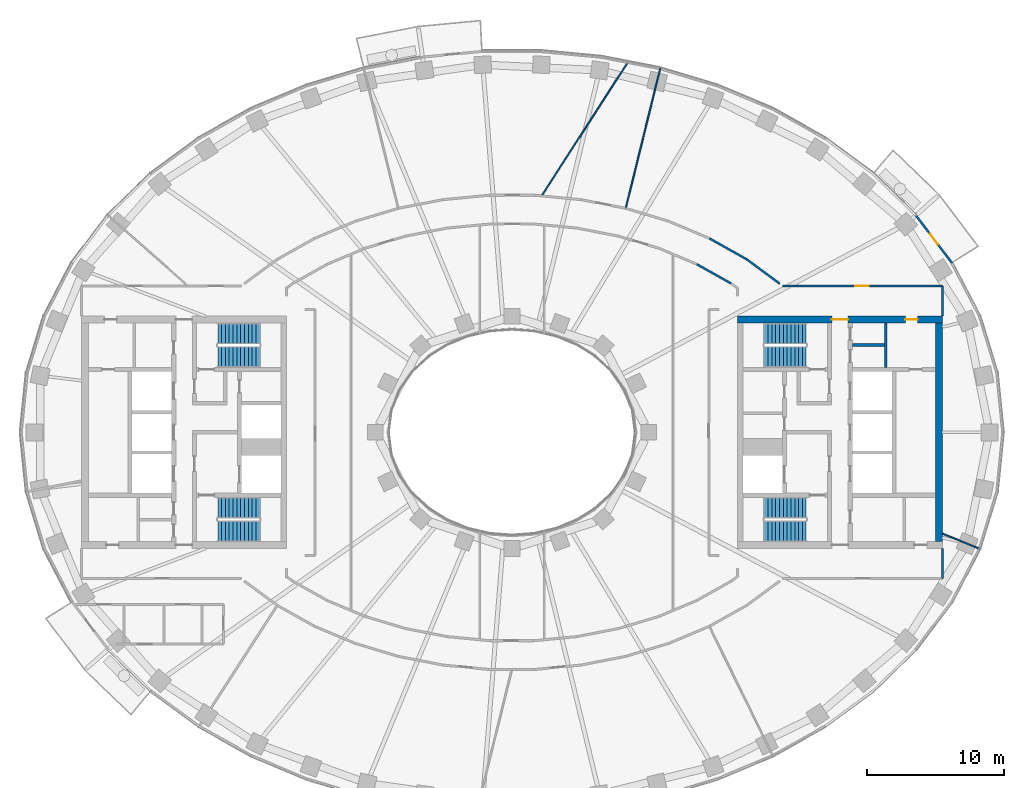
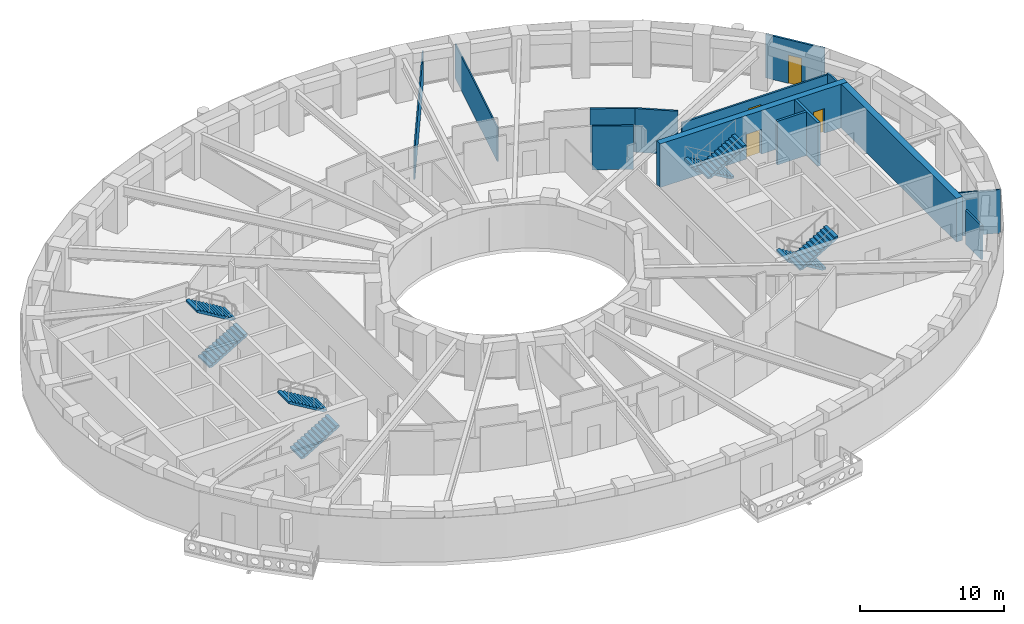
# One storey, part 7 of 16: 14 walls, 8 stair flights, 4 doors, 4 openings, 4 elements without a shape of their own.
"""IFC4 building model written with IfcOpenShell, lengths in metres."""

from ifc_helpers import new_model, si_unit, direction, frame, frame_2d, origin, place, context, subcontext, project, spatial, polyline, rectangle, outline, extrude, material, layer, layer_set, type_object, element, fill, aggregate, save


model = new_model("IFC4")

# Units and contexts
model_context = context("Model", 3, precision=1e-05, world=origin(), true_north=direction((0.0, 1.0)))
body_context = subcontext(model_context, "Body", "Model", "MODEL_VIEW")
ifc_project = project(units=[si_unit("LENGTHUNIT", "METRE"), si_unit("AREAUNIT", "SQUARE_METRE"), si_unit("VOLUMEUNIT", "CUBIC_METRE"), si_unit("PLANEANGLEUNIT", "RADIAN"), si_unit("MASSUNIT", "GRAM", prefix="KILO")], contexts=[model_context])

# Site, building, storey
site_placement = place(None, origin())
site = spatial("IfcSite", under=ifc_project, at=site_placement, CompositionType="ELEMENT")
building_placement = place(site_placement, origin())
building = spatial("IfcBuilding", under=site, at=building_placement, Name="Noorbagh Ring Tower", CompositionType="ELEMENT")
storey_placement = place(building_placement, frame((0.0, 0.0, 132.0)))
storey = spatial("IfcBuildingStorey", under=building, at=storey_placement, Name="L30", CompositionType="ELEMENT", Elevation=132.0)

# Walls
ifc_material_1 = material(Name="Gypsum board on steel studs", Category="steel")
ifc_layer_1 = layer(ifc_material_1, 0.199951171875)
ifc_layer_set_1 = layer_set([ifc_layer_1], Name="Gypsum board on steel studs")
wall_type_1 = type_object("IfcWallType", Name="CORE-PARTITION-200", PredefinedType="PARTITIONING", material=ifc_layer_set_1)
wall_1_placement = place(storey_placement, frame((27.35009765625, 4.75, 0.0), z_axis=(0.0, 0.0, 1.0), x_axis=(0.0, 1.0, 0.0)))
element("IfcWall", 1, at=wall_1_placement, inside=storey, type_object=wall_type_1, Name="Core partition E", PredefinedType="PARTITIONING", context=body_context, shape_type="SweptSolid", body=[
    extrude(rectangle(XDim=3.25, YDim=0.199951171875, at=frame_2d((1.625, 0.0))), origin(), (0.0, 0.0, 1.0), 3.699951171875),
])
wall_2_placement = place(storey_placement, frame((24.89990234375, 6.39990234375, 0.0), z_axis=(0.0, 0.0, 1.0), x_axis=(1.0, 0.0, 0.0)))
element("IfcWall", 2, at=wall_2_placement, inside=storey, type_object=wall_type_1, Name="Core partition E", PredefinedType="PARTITIONING", context=body_context, shape_type="SweptSolid", body=[
    extrude(rectangle(XDim=2.35009765625, YDim=0.199951171875, at=frame_2d((1.175048828125, 0.0))), origin(), (0.0, 0.0, 1.0), 3.699951171875),
])

# Wall, openings, doors
ifc_material_2 = material(Name="Concrete C70/85", Category="concrete")
ifc_layer_2 = layer(ifc_material_2, 0.5)
ifc_layer_set_2 = layer_set([ifc_layer_2], Name="Concrete C70/85")
wall_type_2 = type_object("IfcWallType", Name="CORE-WALL-500-C70-85-EI240", PredefinedType="SHEAR", material=ifc_layer_set_2)
wall_3_placement = place(storey_placement, frame((16.5, 8.25, 0.0), z_axis=(0.0, 0.0, 1.0), x_axis=(1.0, 0.0, 0.0)))
wall_3 = element("IfcWall", 3, at=wall_3_placement, inside=storey, type_object=wall_type_2, Name="Core wall E", PredefinedType="SHEAR", context=body_context, shape_type="SweptSolid", body=[
    extrude(rectangle(XDim=15.0, YDim=0.5, at=frame_2d((7.5, 0.0))), origin(), (0.0, 0.0, 1.0), 3.699951171875),
])
opening_1_placement = place(wall_3_placement, frame((6.89990234375, 0.0, 0.0)))
opening_1 = element("IfcOpeningElement", 4, at=opening_1_placement, cuts=wall_3, Name="Opening L30-CE09", PredefinedType="OPENING", context=body_context, shape_type="SweptSolid", body=[
    extrude(rectangle(XDim=1.199951171875, YDim=2.10009765625, at=frame_2d((0.60009765625, 1.050048828125))), frame((0.0, 0.260009765625, 0.0), z_axis=(0.0, -1.0, 0.0), x_axis=(1.0, 0.0, 0.0)), (0.0, 0.0, 1.0), 0.52001953125),
])
opening_2_placement = place(wall_3_placement, frame((12.27490234375, 0.0, 0.0)))
opening_2 = element("IfcOpeningElement", 5, at=opening_2_placement, cuts=wall_3, Name="Opening L30-CE15", PredefinedType="OPENING", context=body_context, shape_type="SweptSolid", body=[
    extrude(rectangle(XDim=0.89990234375, YDim=2.10009765625, at=frame_2d((0.449951171875, 1.050048828125))), frame((0.0, 0.260009765625, 0.0), z_axis=(0.0, -1.0, 0.0), x_axis=(1.0, 0.0, 0.0)), (0.0, 0.0, 1.0), 0.52001953125),
])
ifc_material_3 = material(Name="Steel door leaf", Category="steel")
door_type_1 = type_object("IfcDoorType", Name="CORE-DOOR-DROOM", OperationType="SINGLE_SWING_LEFT", PredefinedType="DOOR", material=ifc_material_3)
door_1_placement = place(opening_2_placement, origin())
door_1 = element("IfcDoor", 6, at=door_1_placement, inside=storey, type_object=door_type_1, Name="Core room door L30-CE15", OperationType="SINGLE_SWING_LEFT", OverallHeight=2.10009765625, OverallWidth=0.89990234375, PredefinedType="DOOR", context=body_context, shape_type="SweptSolid", body=[
    extrude(rectangle(XDim=0.89990234375, YDim=2.10009765625, at=frame_2d((0.449951171875, 1.050048828125))), frame((0.0, 0.02490234375, 0.0), z_axis=(0.0, -1.0, 0.0), x_axis=(1.0, 0.0, 0.0)), (0.0, 0.0, 1.0), 0.050048828125),
])
fill(opening_2, door_1)
ifc_material_4 = material(Name="Steel door leaf", Category="steel")
door_type_2 = type_object("IfcDoorType", Name="CORE-DOOR-PORT", OperationType="DOUBLE_DOOR_DOUBLE_SWING", PredefinedType="DOOR", material=ifc_material_4)
door_2_placement = place(opening_1_placement, origin())
door_2 = element("IfcDoor", 7, at=door_2_placement, inside=storey, type_object=door_type_2, Name="Core entrance door L30-CE09", OperationType="DOUBLE_DOOR_DOUBLE_SWING", OverallHeight=2.10009765625, OverallWidth=1.199951171875, PredefinedType="DOOR", context=body_context, shape_type="SweptSolid", body=[
    extrude(rectangle(XDim=1.199951171875, YDim=2.10009765625, at=frame_2d((0.60009765625, 1.050048828125))), frame((0.0, 0.02490234375, 0.0), z_axis=(0.0, -1.0, 0.0), x_axis=(1.0, 0.0, 0.0)), (0.0, 0.0, 1.0), 0.050048828125),
])
fill(opening_1, door_2)

# Walls
wall_4_placement = place(storey_placement, frame((31.25, -8.0, 0.0), z_axis=(0.0, 0.0, 1.0), x_axis=(0.0, 1.0, 0.0)))
element("IfcWall", 8, at=wall_4_placement, inside=storey, type_object=wall_type_2, Name="Core wall E", PredefinedType="SHEAR", context=body_context, shape_type="SweptSolid", body=[
    extrude(rectangle(XDim=16.0, YDim=0.5, at=frame_2d((8.0, 0.0))), origin(), (0.0, 0.0, 1.0), 3.699951171875),
])
ifc_material_5 = material(Name="Gypsum board on steel studs", Category="steel")
ifc_layer_3 = layer(ifc_material_5, 0.14990234375)
ifc_layer_set_3 = layer_set([ifc_layer_3], Name="Gypsum board on steel studs")
wall_type_3 = type_object("IfcWallType", Name="CORRIDOR PARTITION 150 EI 30", PredefinedType="PARTITIONING", material=ifc_layer_set_3)
wall_5_placement = place(storey_placement, frame((13.52099609375, 12.302978515625, 0.0), z_axis=(0.0, 0.0, 1.0), x_axis=(0.871948863789, -0.489596955604, 0.0)))
element("IfcWall", 9, at=wall_5_placement, inside=storey, type_object=wall_type_3, Name="L30/wall/P78", PredefinedType="PARTITIONING", context=body_context, shape_type="SweptSolid", body=[
    extrude(rectangle(XDim=2.879638671875, YDim=0.14990234375, at=frame_2d((1.43994140625, 0.0))), origin(), (0.0, 0.0, 1.0), 3.699951171875),
])
wall_6_placement = place(storey_placement, frame((14.445068359375, 14.19189453125, 0.0), z_axis=(0.0, 0.0, 1.0), x_axis=(0.872054495499, -0.489408783003, 0.0)))
element("IfcWall", 10, at=wall_6_placement, inside=storey, type_object=wall_type_3, Name="L30/wall/P82", PredefinedType="PARTITIONING", context=body_context, shape_type="SweptSolid", body=[
    extrude(rectangle(XDim=3.128173828125, YDim=0.14990234375, at=frame_2d((1.56396484375, 0.0))), origin(), (0.0, 0.0, 1.0), 3.699951171875),
])
wall_7_placement = place(storey_placement, frame((17.173095703125, 12.660888671875, 0.0), z_axis=(0.0, 0.0, 1.0), x_axis=(0.805151708762, -0.593068904831, 0.0)))
element("IfcWall", 11, at=wall_7_placement, inside=storey, type_object=wall_type_3, Name="L30/wall/P90", PredefinedType="PARTITIONING", context=body_context, shape_type="SweptSolid", body=[
    extrude(rectangle(XDim=3.008056640625, YDim=0.14990234375, at=frame_2d((1.50390625, 0.0))), origin(), (0.0, 0.0, 1.0), 3.699951171875),
])

# Wall, opening, door
wall_8_placement = place(storey_placement, frame((19.777099609375, 10.699951171875, 0.0), z_axis=(0.0, 0.0, 1.0), x_axis=(1.0, 0.0, 0.0)))
wall_8 = element("IfcWall", 12, at=wall_8_placement, inside=storey, type_object=wall_type_3, Name="L30/wall/P92", PredefinedType="PARTITIONING", context=body_context, shape_type="SweptSolid", body=[
    extrude(rectangle(XDim=11.722900390625, YDim=0.14990234375, at=frame_2d((5.861328125, 0.0))), origin(), (0.0, 0.0, 1.0), 2.75),
])
opening_3_placement = place(wall_8_placement, frame((5.322998046875, 0.0, 0.0)))
opening_3 = element("IfcOpeningElement", 13, at=opening_3_placement, cuts=wall_8, Name="Opening D1", PredefinedType="OPENING", context=body_context, shape_type="SweptSolid", body=[
    extrude(rectangle(XDim=1.0, YDim=2.10009765625, at=frame_2d((0.5, 1.050048828125))), frame((0.0, 0.0849609375, 0.0), z_axis=(0.0, -1.0, 0.0), x_axis=(1.0, 0.0, 0.0)), (0.0, 0.0, 1.0), 0.169921875),
])
ifc_material_6 = material(Name="Timber, painted", Category="wood")
door_type_3 = type_object("IfcDoorType", Name="DOOR 1000 X 2100 FD30", OperationType="SINGLE_SWING_LEFT", PredefinedType="DOOR", material=ifc_material_6)
door_3_placement = place(opening_3_placement, origin())
door_3 = element("IfcDoor", 14, at=door_3_placement, inside=storey, type_object=door_type_3, Name="L30-D12", OperationType="SINGLE_SWING_RIGHT", OverallHeight=2.10009765625, OverallWidth=1.0, PredefinedType="DOOR", context=body_context, shape_type="SweptSolid", body=[
    extrude(rectangle(XDim=1.0, YDim=2.10009765625, at=frame_2d((0.5, 1.050048828125))), frame((0.0, 0.02490234375, 0.0), z_axis=(0.0, -1.0, 0.0), x_axis=(1.0, 0.0, 0.0)), (0.0, 0.0, 1.0), 0.050048828125),
])
fill(opening_3, door_3)

# Walls
for number, where, z_axis, x_axis, name in (
    (15, (31.5, -10.699951171875, 0.0), (0.0, 0.0, 1.0), (0.0, 1.0, 0.0), "L30/wall/P93"),
    (16, (31.5, 8.5, 0.0), (0.0, 0.0, 1.0), (0.0, 1.0, 0.0), "L30/wall/P95"),
):
    element("IfcWall", number, at=place(storey_placement, frame(where, z_axis=z_axis, x_axis=x_axis)), inside=storey, type_object=wall_type_3, Name=name, PredefinedType="PARTITIONING", context=body_context, shape_type="SweptSolid", body=[
        extrude(rectangle(XDim=2.199951171875, YDim=0.14990234375, at=frame_2d((1.10009765625, 0.0))), origin(), (0.0, 0.0, 1.0), 2.89990234375),
    ])

# Wall, opening, door
ifc_material_7 = material(Name="Insulated aluminium clad panel", Category="aluminium")
ifc_layer_4 = layer(ifc_material_7, 0.14990234375)
ifc_layer_set_4 = layer_set([ifc_layer_4], Name="Insulated aluminium clad panel")
wall_type_4 = type_object("IfcWallType", Name="ENV-WALL-DOOR", PredefinedType="STANDARD", material=ifc_layer_set_4)
wall_9_placement = place(storey_placement, frame((32.20751953125, 12.37353515625, 0.0), z_axis=(0.0, 0.0, 1.0), x_axis=(-0.604045763106, 0.796949632081, 0.0)))
wall_9 = element("IfcWall", 17, at=wall_9_placement, inside=storey, type_object=wall_type_4, Name="Balcony door wall chord 04", PredefinedType="STANDARD", context=body_context, shape_type="SweptSolid", body=[
    extrude(rectangle(XDim=4.42333984375, YDim=0.14990234375, at=frame_2d((2.211669921875, 0.0))), origin(), (0.0, 0.0, 1.0), 3.699951171875),
])
opening_4_placement = place(wall_9_placement, frame((1.711669921875, 0.0, 0.0)))
opening_4 = element("IfcOpeningElement", 18, at=opening_4_placement, cuts=wall_9, Name="Opening D-BL", PredefinedType="OPENING", context=body_context, shape_type="SweptSolid", body=[
    extrude(rectangle(XDim=1.0, YDim=2.39990234375, at=frame_2d((0.5, 1.199951171875))), frame((0.0, 0.0849609375, 0.0), z_axis=(0.0, -1.0, 0.0), x_axis=(1.0, 0.0, 0.0)), (0.0, 0.0, 1.0), 0.169921875),
])
ifc_material_8 = material(Name="Aluminium and glass", Category="aluminium")
door_type_4 = type_object("IfcDoorType", Name="ENV-DOOR-BALCONY", OperationType="SINGLE_SWING_LEFT", PredefinedType="DOOR", material=ifc_material_8)
door_4_placement = place(opening_4_placement, origin())
door_4 = element("IfcDoor", 19, at=door_4_placement, inside=storey, type_object=door_type_4, Name="Balcony door chord 04", OperationType="SINGLE_SWING_LEFT", OverallHeight=2.39990234375, OverallWidth=1.0, PredefinedType="DOOR", context=body_context, shape_type="SweptSolid", body=[
    extrude(rectangle(XDim=1.0, YDim=2.39990234375, at=frame_2d((0.5, 1.199951171875))), frame((0.0, 0.02490234375, 0.0), z_axis=(0.0, -1.0, 0.0), x_axis=(1.0, 0.0, 0.0)), (0.0, 0.0, 1.0), 0.050048828125),
])
fill(opening_4, door_4)

# Walls
ifc_material_9 = material(Name="Gypsum board on steel studs", Category="steel")
ifc_layer_5 = layer(ifc_material_9, 0.10009765625)
ifc_layer_set_5 = layer_set([ifc_layer_5], Name="Gypsum board on steel studs")
wall_type_5 = type_object("IfcWallType", Name="PARTITION 100 GYPSUM", PredefinedType="PARTITIONING", material=ifc_layer_set_5)
wall_10_placement = place(storey_placement, frame((2.2119140625, 17.3740234375, 0.0), z_axis=(0.0, 0.0, 1.0), x_axis=(0.542286762482, 0.840193470123, 0.0)))
element("IfcWall", 20, at=wall_10_placement, inside=storey, type_object=wall_type_5, Name="L30/wall/P60", PredefinedType="PARTITIONING", context=body_context, shape_type="SweptSolid", body=[
    extrude(rectangle(XDim=11.58056640625, YDim=0.10009765625, at=frame_2d((5.790283203125, 0.0))), origin(), (0.0, 0.0, 1.0), 2.85009765625),
])
wall_11_placement = place(storey_placement, frame((8.321044921875, 16.39404296875, 0.0), z_axis=(0.0, 0.0, 1.0), x_axis=(0.239771193985, 0.970829426076, 0.0)))
element("IfcWall", 21, at=wall_11_placement, inside=storey, type_object=wall_type_5, Name="L30/wall/P70", PredefinedType="PARTITIONING", context=body_context, shape_type="SweptSolid", body=[
    extrude(rectangle(XDim=10.56005859375, YDim=0.10009765625, at=frame_2d((5.280029296875, 0.0))), origin(), (0.0, 0.0, 1.0), 2.89990234375),
])
wall_12_placement = place(storey_placement, frame((31.5, -7.409912109375, 0.0), z_axis=(0.0, 0.0, 1.0), x_axis=(0.925344112436, -0.379128307542, 0.0)))
element("IfcWall", 22, at=wall_12_placement, inside=storey, type_object=wall_type_5, Name="L30/wall/P94", PredefinedType="PARTITIONING", context=body_context, shape_type="SweptSolid", body=[
    extrude(rectangle(XDim=2.954345703125, YDim=0.10009765625, at=frame_2d((1.47705078125, 0.0))), origin(), (0.0, 0.0, 1.0), 3.699951171875),
])

# Stair, stair flights
ifc_material_10 = material(Name="Concrete C40/50", Category="concrete")
stair_type = type_object("IfcStairType", Name="CORE-STAIR", PredefinedType="HALF_TURN_STAIR", material=ifc_material_10)
stair_1_placement = place(storey_placement, origin())
stair_1 = element("IfcStair", 23, at=stair_1_placement, inside=storey, type_object=stair_type, Name="L30 Exit stair ST1", PredefinedType="HALF_TURN_STAIR")
ifc_material_11 = material(Name="Concrete C40/50", Category="concrete")
stair_flight_type = type_object("IfcStairFlightType", Name="CORE-STAIR-FLIGHT", PredefinedType="STRAIGHT", material=ifc_material_11)
stair_flight_1_placement = place(storey_placement, frame((-21.530029296875, 5.52490234375, 0.0), z_axis=(0.0, 0.0, 1.0), x_axis=(1.0, 0.0, 0.0)))
stair_flight_1 = element("IfcStairFlight", 24, at=stair_flight_1_placement, type_object=stair_flight_type, Name="ST1 flight 1", NumberOfRisers=12, NumberOfTreads=11, PredefinedType="STRAIGHT", RiserHeight=0.166666667, TreadLength=0.28, context=body_context, shape_type="SweptSolid", body=[
    extrude(outline(polyline([(0.0, 0.0), (0.0, 0.166748046875), (0.280029296875, 0.166748046875), (0.280029296875, 0.333251953125), (0.56005859375, 0.333251953125), (0.56005859375, 0.5), (0.840087890625, 0.5), (0.840087890625, 0.666748046875), (1.1201171875, 0.666748046875), (1.1201171875, 0.833251953125), (1.39990234375, 0.833251953125), (1.39990234375, 1.0), (1.679931640625, 1.0), (1.679931640625, 1.166748046875), (1.9599609375, 1.166748046875), (1.9599609375, 1.333251953125), (2.239990234375, 1.333251953125), (2.239990234375, 1.5), (2.52001953125, 1.5), (2.52001953125, 1.666748046875), (2.800048828125, 1.666748046875), (2.800048828125, 1.833251953125), (3.080078125, 1.833251953125), (3.080078125, 2.0), (3.080078125, 1.658935546875), (0.29296875, 0.0), (0.0, 0.0)])), frame((0.0, 0.77490234375, 0.0), z_axis=(0.0, -1.0, 0.0), x_axis=(1.0, 0.0, 0.0)), (0.0, 0.0, 1.0), 1.550048828125),
])
stair_flight_2_placement = place(storey_placement, frame((-18.449951171875, 7.22509765625, 2.0), z_axis=(0.0, 0.0, 1.0), x_axis=(-1.0, 0.0, 0.0)))
stair_flight_2 = element("IfcStairFlight", 25, at=stair_flight_2_placement, type_object=stair_flight_type, Name="ST1 flight 2", NumberOfRisers=12, NumberOfTreads=11, PredefinedType="STRAIGHT", RiserHeight=0.166666667, TreadLength=0.28, context=body_context, shape_type="SweptSolid", body=[
    extrude(outline(polyline([(0.0, 0.0), (0.0, 0.166748046875), (0.280029296875, 0.166748046875), (0.280029296875, 0.333251953125), (0.56005859375, 0.333251953125), (0.56005859375, 0.5), (0.840087890625, 0.5), (0.840087890625, 0.666748046875), (1.1201171875, 0.666748046875), (1.1201171875, 0.833251953125), (1.39990234375, 0.833251953125), (1.39990234375, 1.0), (1.679931640625, 1.0), (1.679931640625, 1.166748046875), (1.9599609375, 1.166748046875), (1.9599609375, 1.333251953125), (2.239990234375, 1.333251953125), (2.239990234375, 1.5), (2.52001953125, 1.5), (2.52001953125, 1.666748046875), (2.800048828125, 1.666748046875), (2.800048828125, 1.833251953125), (3.080078125, 1.833251953125), (3.080078125, 2.0), (3.080078125, 1.658935546875), (0.29296875, 0.0), (0.0, 0.0)])), frame((0.0, 0.77490234375, 0.0), z_axis=(0.0, -1.0, 0.0), x_axis=(1.0, 0.0, 0.0)), (0.0, 0.0, 1.0), 1.550048828125),
])
aggregate(stair_1, [stair_flight_1, stair_flight_2])

stair_2_placement = place(storey_placement, origin())
stair_2 = element("IfcStair", 26, at=stair_2_placement, inside=storey, type_object=stair_type, Name="L30 Exit stair ST2", PredefinedType="HALF_TURN_STAIR")
stair_flight_3_placement = place(storey_placement, frame((-21.530029296875, -7.22509765625, 0.0), z_axis=(0.0, 0.0, 1.0), x_axis=(1.0, 0.0, 0.0)))
stair_flight_3 = element("IfcStairFlight", 27, at=stair_flight_3_placement, type_object=stair_flight_type, Name="ST2 flight 1", NumberOfRisers=12, NumberOfTreads=11, PredefinedType="STRAIGHT", RiserHeight=0.166666667, TreadLength=0.28, context=body_context, shape_type="SweptSolid", body=[
    extrude(outline(polyline([(0.0, 0.0), (0.0, 0.166748046875), (0.280029296875, 0.166748046875), (0.280029296875, 0.333251953125), (0.56005859375, 0.333251953125), (0.56005859375, 0.5), (0.840087890625, 0.5), (0.840087890625, 0.666748046875), (1.1201171875, 0.666748046875), (1.1201171875, 0.833251953125), (1.39990234375, 0.833251953125), (1.39990234375, 1.0), (1.679931640625, 1.0), (1.679931640625, 1.166748046875), (1.9599609375, 1.166748046875), (1.9599609375, 1.333251953125), (2.239990234375, 1.333251953125), (2.239990234375, 1.5), (2.52001953125, 1.5), (2.52001953125, 1.666748046875), (2.800048828125, 1.666748046875), (2.800048828125, 1.833251953125), (3.080078125, 1.833251953125), (3.080078125, 2.0), (3.080078125, 1.658935546875), (0.29296875, 0.0), (0.0, 0.0)])), frame((0.0, 0.77490234375, 0.0), z_axis=(0.0, -1.0, 0.0), x_axis=(1.0, 0.0, 0.0)), (0.0, 0.0, 1.0), 1.550048828125),
])
stair_flight_4_placement = place(storey_placement, frame((-18.449951171875, -5.52490234375, 2.0), z_axis=(0.0, 0.0, 1.0), x_axis=(-1.0, 0.0, 0.0)))
stair_flight_4 = element("IfcStairFlight", 28, at=stair_flight_4_placement, type_object=stair_flight_type, Name="ST2 flight 2", NumberOfRisers=12, NumberOfTreads=11, PredefinedType="STRAIGHT", RiserHeight=0.166666667, TreadLength=0.28, context=body_context, shape_type="SweptSolid", body=[
    extrude(outline(polyline([(0.0, 0.0), (0.0, 0.166748046875), (0.280029296875, 0.166748046875), (0.280029296875, 0.333251953125), (0.56005859375, 0.333251953125), (0.56005859375, 0.5), (0.840087890625, 0.5), (0.840087890625, 0.666748046875), (1.1201171875, 0.666748046875), (1.1201171875, 0.833251953125), (1.39990234375, 0.833251953125), (1.39990234375, 1.0), (1.679931640625, 1.0), (1.679931640625, 1.166748046875), (1.9599609375, 1.166748046875), (1.9599609375, 1.333251953125), (2.239990234375, 1.333251953125), (2.239990234375, 1.5), (2.52001953125, 1.5), (2.52001953125, 1.666748046875), (2.800048828125, 1.666748046875), (2.800048828125, 1.833251953125), (3.080078125, 1.833251953125), (3.080078125, 2.0), (3.080078125, 1.658935546875), (0.29296875, 0.0), (0.0, 0.0)])), frame((0.0, 0.77490234375, 0.0), z_axis=(0.0, -1.0, 0.0), x_axis=(1.0, 0.0, 0.0)), (0.0, 0.0, 1.0), 1.550048828125),
])
aggregate(stair_2, [stair_flight_3, stair_flight_4])

stair_3_placement = place(storey_placement, origin())
stair_3 = element("IfcStair", 29, at=stair_3_placement, inside=storey, type_object=stair_type, Name="L30 Exit stair ST3", PredefinedType="HALF_TURN_STAIR")
stair_flight_5_placement = place(storey_placement, frame((21.530029296875, 7.22509765625, 0.0), z_axis=(0.0, 0.0, 1.0), x_axis=(-1.0, 0.0, 0.0)))
stair_flight_5 = element("IfcStairFlight", 30, at=stair_flight_5_placement, type_object=stair_flight_type, Name="ST3 flight 1", NumberOfRisers=12, NumberOfTreads=11, PredefinedType="STRAIGHT", RiserHeight=0.166666667, TreadLength=0.28, context=body_context, shape_type="SweptSolid", body=[
    extrude(outline(polyline([(0.0, 0.0), (0.0, 0.166748046875), (0.280029296875, 0.166748046875), (0.280029296875, 0.333251953125), (0.56005859375, 0.333251953125), (0.56005859375, 0.5), (0.840087890625, 0.5), (0.840087890625, 0.666748046875), (1.1201171875, 0.666748046875), (1.1201171875, 0.833251953125), (1.39990234375, 0.833251953125), (1.39990234375, 1.0), (1.679931640625, 1.0), (1.679931640625, 1.166748046875), (1.9599609375, 1.166748046875), (1.9599609375, 1.333251953125), (2.239990234375, 1.333251953125), (2.239990234375, 1.5), (2.52001953125, 1.5), (2.52001953125, 1.666748046875), (2.800048828125, 1.666748046875), (2.800048828125, 1.833251953125), (3.080078125, 1.833251953125), (3.080078125, 2.0), (3.080078125, 1.658935546875), (0.29296875, 0.0), (0.0, 0.0)])), frame((0.0, 0.77490234375, 0.0), z_axis=(0.0, -1.0, 0.0), x_axis=(1.0, 0.0, 0.0)), (0.0, 0.0, 1.0), 1.550048828125),
])
stair_flight_6_placement = place(storey_placement, frame((18.449951171875, 5.52490234375, 2.0), z_axis=(0.0, 0.0, 1.0), x_axis=(1.0, 0.0, 0.0)))
stair_flight_6 = element("IfcStairFlight", 31, at=stair_flight_6_placement, type_object=stair_flight_type, Name="ST3 flight 2", NumberOfRisers=12, NumberOfTreads=11, PredefinedType="STRAIGHT", RiserHeight=0.166666667, TreadLength=0.28, context=body_context, shape_type="SweptSolid", body=[
    extrude(outline(polyline([(0.0, 0.0), (0.0, 0.166748046875), (0.280029296875, 0.166748046875), (0.280029296875, 0.333251953125), (0.56005859375, 0.333251953125), (0.56005859375, 0.5), (0.840087890625, 0.5), (0.840087890625, 0.666748046875), (1.1201171875, 0.666748046875), (1.1201171875, 0.833251953125), (1.39990234375, 0.833251953125), (1.39990234375, 1.0), (1.679931640625, 1.0), (1.679931640625, 1.166748046875), (1.9599609375, 1.166748046875), (1.9599609375, 1.333251953125), (2.239990234375, 1.333251953125), (2.239990234375, 1.5), (2.52001953125, 1.5), (2.52001953125, 1.666748046875), (2.800048828125, 1.666748046875), (2.800048828125, 1.833251953125), (3.080078125, 1.833251953125), (3.080078125, 2.0), (3.080078125, 1.658935546875), (0.29296875, 0.0), (0.0, 0.0)])), frame((0.0, 0.77490234375, 0.0), z_axis=(0.0, -1.0, 0.0), x_axis=(1.0, 0.0, 0.0)), (0.0, 0.0, 1.0), 1.550048828125),
])
aggregate(stair_3, [stair_flight_5, stair_flight_6])

stair_4_placement = place(storey_placement, origin())
stair_4 = element("IfcStair", 32, at=stair_4_placement, inside=storey, type_object=stair_type, Name="L30 Exit stair ST4", PredefinedType="HALF_TURN_STAIR")
stair_flight_7_placement = place(storey_placement, frame((21.530029296875, -5.52490234375, 0.0), z_axis=(0.0, 0.0, 1.0), x_axis=(-1.0, 0.0, 0.0)))
stair_flight_7 = element("IfcStairFlight", 33, at=stair_flight_7_placement, type_object=stair_flight_type, Name="ST4 flight 1", NumberOfRisers=12, NumberOfTreads=11, PredefinedType="STRAIGHT", RiserHeight=0.166666667, TreadLength=0.28, context=body_context, shape_type="SweptSolid", body=[
    extrude(outline(polyline([(0.0, 0.0), (0.0, 0.166748046875), (0.280029296875, 0.166748046875), (0.280029296875, 0.333251953125), (0.56005859375, 0.333251953125), (0.56005859375, 0.5), (0.840087890625, 0.5), (0.840087890625, 0.666748046875), (1.1201171875, 0.666748046875), (1.1201171875, 0.833251953125), (1.39990234375, 0.833251953125), (1.39990234375, 1.0), (1.679931640625, 1.0), (1.679931640625, 1.166748046875), (1.9599609375, 1.166748046875), (1.9599609375, 1.333251953125), (2.239990234375, 1.333251953125), (2.239990234375, 1.5), (2.52001953125, 1.5), (2.52001953125, 1.666748046875), (2.800048828125, 1.666748046875), (2.800048828125, 1.833251953125), (3.080078125, 1.833251953125), (3.080078125, 2.0), (3.080078125, 1.658935546875), (0.29296875, 0.0), (0.0, 0.0)])), frame((0.0, 0.77490234375, 0.0), z_axis=(0.0, -1.0, 0.0), x_axis=(1.0, 0.0, 0.0)), (0.0, 0.0, 1.0), 1.550048828125),
])
stair_flight_8_placement = place(storey_placement, frame((18.449951171875, -7.22509765625, 2.0), z_axis=(0.0, 0.0, 1.0), x_axis=(1.0, 0.0, 0.0)))
stair_flight_8 = element("IfcStairFlight", 34, at=stair_flight_8_placement, type_object=stair_flight_type, Name="ST4 flight 2", NumberOfRisers=12, NumberOfTreads=11, PredefinedType="STRAIGHT", RiserHeight=0.166666667, TreadLength=0.28, context=body_context, shape_type="SweptSolid", body=[
    extrude(outline(polyline([(0.0, 0.0), (0.0, 0.166748046875), (0.280029296875, 0.166748046875), (0.280029296875, 0.333251953125), (0.56005859375, 0.333251953125), (0.56005859375, 0.5), (0.840087890625, 0.5), (0.840087890625, 0.666748046875), (1.1201171875, 0.666748046875), (1.1201171875, 0.833251953125), (1.39990234375, 0.833251953125), (1.39990234375, 1.0), (1.679931640625, 1.0), (1.679931640625, 1.166748046875), (1.9599609375, 1.166748046875), (1.9599609375, 1.333251953125), (2.239990234375, 1.333251953125), (2.239990234375, 1.5), (2.52001953125, 1.5), (2.52001953125, 1.666748046875), (2.800048828125, 1.666748046875), (2.800048828125, 1.833251953125), (3.080078125, 1.833251953125), (3.080078125, 2.0), (3.080078125, 1.658935546875), (0.29296875, 0.0), (0.0, 0.0)])), frame((0.0, 0.77490234375, 0.0), z_axis=(0.0, -1.0, 0.0), x_axis=(1.0, 0.0, 0.0)), (0.0, 0.0, 1.0), 1.550048828125),
])
aggregate(stair_4, [stair_flight_7, stair_flight_8])

save(model, "model.ifc")
